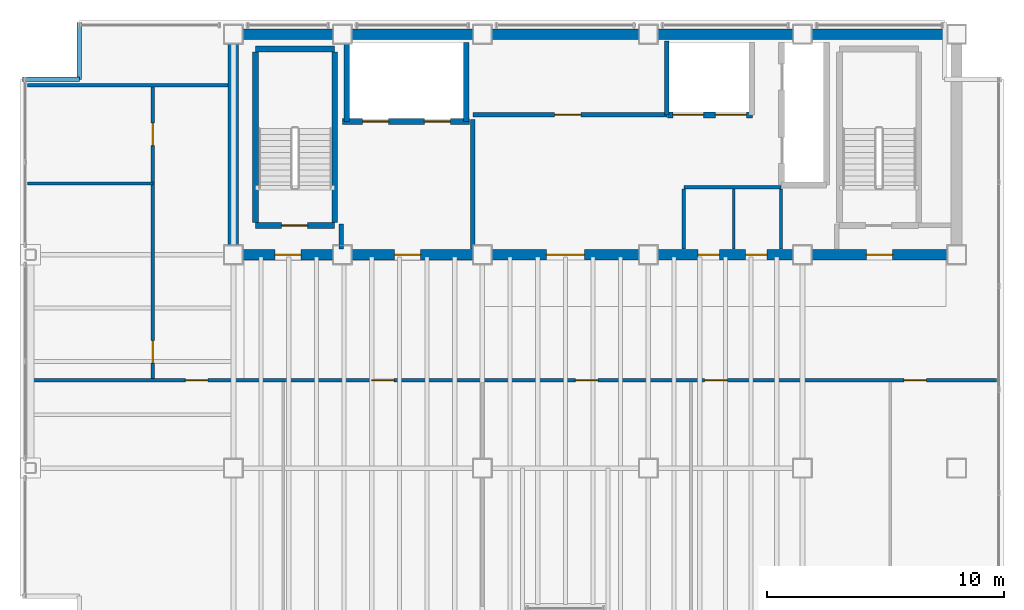
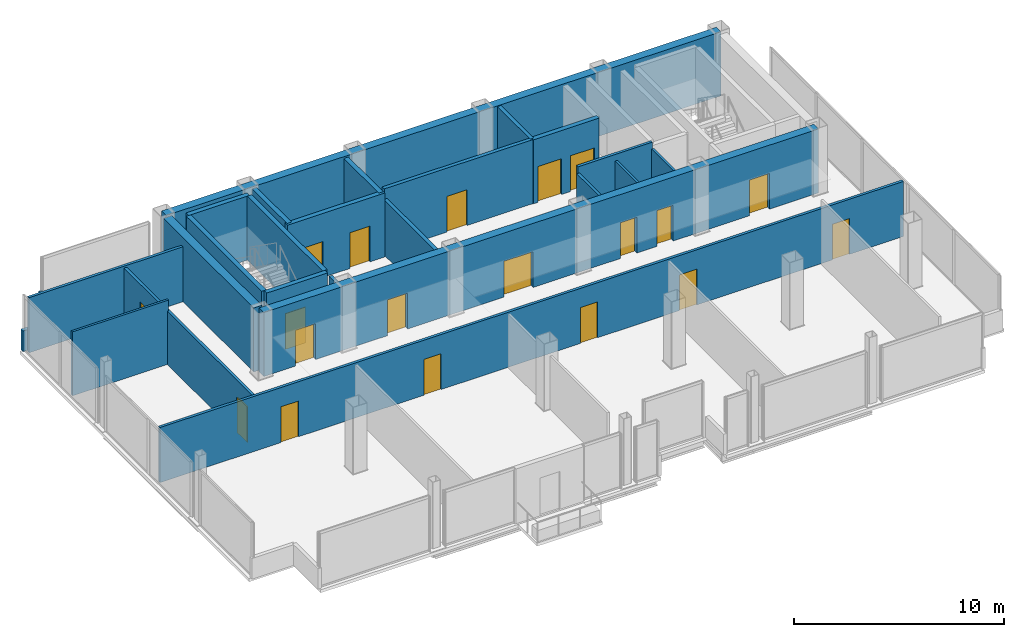
# One storey, part 14 of 16: 25 walls, 19 doors, 19 openings.
"""IFC4 building model written with IfcOpenShell, lengths in metres."""

from ifc_helpers import new_model, si_unit, direction, frame, frame_2d, origin, place, context, subcontext, project, spatial, rectangle, extrude, material, layer, layer_set, type_object, element, fill, save


model = new_model("IFC4")

# Units and contexts
model_context = context("Model", 3, precision=1e-05, world=origin(), true_north=direction((0.0, 1.0)))
body_context = subcontext(model_context, "Body", "Model", "MODEL_VIEW")
ifc_project = project(units=[si_unit("LENGTHUNIT", "METRE"), si_unit("AREAUNIT", "SQUARE_METRE"), si_unit("VOLUMEUNIT", "CUBIC_METRE"), si_unit("PLANEANGLEUNIT", "RADIAN"), si_unit("MASSUNIT", "GRAM", prefix="KILO")], contexts=[model_context])

# Site, building, storey
site_placement = place(None, origin())
site = spatial("IfcSite", under=ifc_project, at=site_placement, CompositionType="ELEMENT")
building_placement = place(site_placement, origin())
building = spatial("IfcBuilding", under=site, at=building_placement, Name="Noeulbin Bourse Tower", CompositionType="ELEMENT")
storey_placement = place(building_placement, frame((0.0, 0.0, 238.39990234375)))
storey = spatial("IfcBuildingStorey", under=building, at=storey_placement, Name="L59", CompositionType="ELEMENT", Elevation=238.39990234375)

# Wall, openings, doors
ifc_material_1 = material(Name="Concrete C50/60", Category="concrete")
ifc_layer_1 = layer(ifc_material_1, 0.449951171875)
ifc_layer_set_1 = layer_set([ifc_layer_1], Name="Concrete C50/60")
wall_type_1 = type_object("IfcWallType", Name="WAL-CORE-450", PredefinedType="SHEAR", material=ifc_layer_set_1)
wall_1_placement = place(storey_placement, frame((13.5, 29.0, 0.0), z_axis=(0.0, 0.0, 1.0), x_axis=(1.0, 0.0, 0.0)))
wall_1 = element("IfcWall", 1, at=wall_1_placement, inside=storey, type_object=wall_type_1, Name="Rear Core South Shear Wall L59", PredefinedType="SHEAR", context=body_context, shape_type="SweptSolid", body=[
    extrude(rectangle(XDim=30.5, YDim=0.449951171875, at=frame_2d((15.25, 0.0))), origin(), (0.0, 0.0, 1.0), 3.72021484375),
])
opening_1_placement = place(wall_1_placement, frame((1.75, 0.0, 0.0)))
opening_1 = element("IfcOpeningElement", 2, at=opening_1_placement, cuts=wall_1, Name="Opening FD-11", PredefinedType="OPENING", context=body_context, shape_type="SweptSolid", body=[
    extrude(rectangle(XDim=1.10009765625, YDim=2.080078125, at=frame_2d((0.550048828125, 1.0400390625))), frame((0.0, 0.23486328125, 0.0), z_axis=(0.0, -1.0, 0.0), x_axis=(1.0, 0.0, 0.0)), (0.0, 0.0, 1.0), 0.469970703125),
])
opening_2_placement = place(wall_1_placement, frame((26.699951171875, 0.0, 0.0)))
opening_2 = element("IfcOpeningElement", 3, at=opening_2_placement, cuts=wall_1, Name="Opening FD-11", PredefinedType="OPENING", context=body_context, shape_type="SweptSolid", body=[
    extrude(rectangle(XDim=1.10009765625, YDim=2.080078125, at=frame_2d((0.550048828125, 1.0400390625))), frame((0.0, 0.23486328125, 0.0), z_axis=(0.0, -1.0, 0.0), x_axis=(1.0, 0.0, 0.0)), (0.0, 0.0, 1.0), 0.469970703125),
])
opening_3_placement = place(wall_1_placement, frame((6.800048828125, 0.0, 0.0)))
opening_3 = element("IfcOpeningElement", 4, at=opening_3_placement, cuts=wall_1, Name="Opening FD-11", PredefinedType="OPENING", context=body_context, shape_type="SweptSolid", body=[
    extrude(rectangle(XDim=1.10009765625, YDim=2.080078125, at=frame_2d((0.550048828125, 1.0400390625))), frame((0.0, 0.23486328125, 0.0), z_axis=(0.0, -1.0, 0.0), x_axis=(1.0, 0.0, 0.0)), (0.0, 0.0, 1.0), 0.469970703125),
])
opening_4_placement = place(wall_1_placement, frame((13.199951171875, 0.0, 0.0)))
opening_4 = element("IfcOpeningElement", 5, at=opening_4_placement, cuts=wall_1, Name="Opening ID-16", PredefinedType="OPENING", context=body_context, shape_type="SweptSolid", body=[
    extrude(rectangle(XDim=1.60009765625, YDim=2.080078125, at=frame_2d((0.800048828125, 1.0400390625))), frame((0.0, 0.23486328125, 0.0), z_axis=(0.0, -1.0, 0.0), x_axis=(1.0, 0.0, 0.0)), (0.0, 0.0, 1.0), 0.469970703125),
])
opening_5_placement = place(wall_1_placement, frame((19.60009765625, 0.0, 0.0)))
opening_5 = element("IfcOpeningElement", 6, at=opening_5_placement, cuts=wall_1, Name="Opening FD-09", PredefinedType="OPENING", context=body_context, shape_type="SweptSolid", body=[
    extrude(rectangle(XDim=0.89990234375, YDim=2.080078125, at=frame_2d((0.449951171875, 1.0400390625))), frame((0.0, 0.23486328125, 0.0), z_axis=(0.0, -1.0, 0.0), x_axis=(1.0, 0.0, 0.0)), (0.0, 0.0, 1.0), 0.469970703125),
])
opening_6_placement = place(wall_1_placement, frame((21.60009765625, 0.0, 0.0)))
opening_6 = element("IfcOpeningElement", 7, at=opening_6_placement, cuts=wall_1, Name="Opening FD-09", PredefinedType="OPENING", context=body_context, shape_type="SweptSolid", body=[
    extrude(rectangle(XDim=0.89990234375, YDim=2.080078125, at=frame_2d((0.449951171875, 1.0400390625))), frame((0.0, 0.23486328125, 0.0), z_axis=(0.0, -1.0, 0.0), x_axis=(1.0, 0.0, 0.0)), (0.0, 0.0, 1.0), 0.469970703125),
])
ifc_material_2 = material(Name="Acoustic Glazed Aluminium", Category="aluminium")
door_type_1 = type_object("IfcDoorType", Name="DR-DBL-1600", OperationType="DOUBLE_DOOR_SINGLE_SWING", PredefinedType="DOOR", material=ifc_material_2)
door_1_placement = place(opening_4_placement, origin())
door_1 = element("IfcDoor", 8, at=door_1_placement, inside=storey, type_object=door_type_1, Name="Passenger Lift Lobby Portal L59", OperationType="DOUBLE_DOOR_SINGLE_SWING", OverallHeight=2.080078125, OverallWidth=1.60009765625, PredefinedType="DOOR", context=body_context, shape_type="SweptSolid", body=[
    extrude(rectangle(XDim=1.60009765625, YDim=2.080078125, at=frame_2d((0.800048828125, 1.0400390625))), frame((0.0, 0.02490234375, 0.0), z_axis=(0.0, -1.0, 0.0), x_axis=(1.0, 0.0, 0.0)), (0.0, 0.0, 1.0), 0.050048828125),
])
fill(opening_4, door_1)
ifc_material_3 = material(Name="Fire-Rated Timber Core", Category="wood")
door_type_2 = type_object("IfcDoorType", Name="DR-FD30-900", OperationType="SINGLE_SWING_RIGHT", PredefinedType="DOOR", material=ifc_material_3)
door_2_placement = place(opening_5_placement, origin())
door_2 = element("IfcDoor", 9, at=door_2_placement, inside=storey, type_object=door_type_2, Name="Interior Door L59-06", OperationType="SINGLE_SWING_RIGHT", OverallHeight=2.080078125, OverallWidth=0.89990234375, PredefinedType="DOOR", context=body_context, shape_type="SweptSolid", body=[
    extrude(rectangle(XDim=0.89990234375, YDim=2.080078125, at=frame_2d((0.449951171875, 1.0400390625))), frame((0.0, 0.02490234375, 0.0), z_axis=(0.0, -1.0, 0.0), x_axis=(1.0, 0.0, 0.0)), (0.0, 0.0, 1.0), 0.050048828125),
])
fill(opening_5, door_2)
door_3_placement = place(opening_6_placement, origin())
door_3 = element("IfcDoor", 10, at=door_3_placement, inside=storey, type_object=door_type_2, Name="Interior Door L59-07", OperationType="SINGLE_SWING_LEFT", OverallHeight=2.080078125, OverallWidth=0.89990234375, PredefinedType="DOOR", context=body_context, shape_type="SweptSolid", body=[
    extrude(rectangle(XDim=0.89990234375, YDim=2.080078125, at=frame_2d((0.449951171875, 1.0400390625))), frame((0.0, 0.02490234375, 0.0), z_axis=(0.0, -1.0, 0.0), x_axis=(1.0, 0.0, 0.0)), (0.0, 0.0, 1.0), 0.050048828125),
])
fill(opening_6, door_3)
ifc_material_4 = material(Name="Fire-Rated Insulated Steel", Category="steel")
door_type_3 = type_object("IfcDoorType", Name="DR-FD60-1100", OperationType="SINGLE_SWING_LEFT", PredefinedType="DOOR", material=ifc_material_4)
door_4_placement = place(opening_1_placement, origin())
door_4 = element("IfcDoor", 11, at=door_4_placement, inside=storey, type_object=door_type_3, Name="West Stair Lobby Door L59", OperationType="SINGLE_SWING_LEFT", OverallHeight=2.080078125, OverallWidth=1.10009765625, PredefinedType="DOOR", context=body_context, shape_type="SweptSolid", body=[
    extrude(rectangle(XDim=1.10009765625, YDim=2.080078125, at=frame_2d((0.550048828125, 1.0400390625))), frame((0.0, 0.02490234375, 0.0), z_axis=(0.0, -1.0, 0.0), x_axis=(1.0, 0.0, 0.0)), (0.0, 0.0, 1.0), 0.050048828125),
])
fill(opening_1, door_4)
door_5_placement = place(opening_2_placement, origin())
door_5 = element("IfcDoor", 12, at=door_5_placement, inside=storey, type_object=door_type_3, Name="East Stair Lobby Door L59", OperationType="SINGLE_SWING_RIGHT", OverallHeight=2.080078125, OverallWidth=1.10009765625, PredefinedType="DOOR", context=body_context, shape_type="SweptSolid", body=[
    extrude(rectangle(XDim=1.10009765625, YDim=2.080078125, at=frame_2d((0.550048828125, 1.0400390625))), frame((0.0, 0.02490234375, 0.0), z_axis=(0.0, -1.0, 0.0), x_axis=(1.0, 0.0, 0.0)), (0.0, 0.0, 1.0), 0.050048828125),
])
fill(opening_2, door_5)
door_6_placement = place(opening_3_placement, origin())
door_6 = element("IfcDoor", 13, at=door_6_placement, inside=storey, type_object=door_type_3, Name="Firefighting Lobby Door L59", OperationType="SINGLE_SWING_LEFT", OverallHeight=2.080078125, OverallWidth=1.10009765625, PredefinedType="DOOR", context=body_context, shape_type="SweptSolid", body=[
    extrude(rectangle(XDim=1.10009765625, YDim=2.080078125, at=frame_2d((0.550048828125, 1.0400390625))), frame((0.0, 0.02490234375, 0.0), z_axis=(0.0, -1.0, 0.0), x_axis=(1.0, 0.0, 0.0)), (0.0, 0.0, 1.0), 0.050048828125),
])
fill(opening_3, door_6)

# Walls
wall_2_placement = place(storey_placement, frame((13.5, 38.300048828125, 0.0), z_axis=(0.0, 0.0, 1.0), x_axis=(1.0, 0.0, 0.0)))
element("IfcWall", 14, at=wall_2_placement, inside=storey, type_object=wall_type_1, Name="Rear Core North Shear Wall L59", PredefinedType="SHEAR", context=body_context, shape_type="SweptSolid", body=[
    extrude(rectangle(XDim=30.5, YDim=0.449951171875, at=frame_2d((15.25, 0.0))), origin(), (0.0, 0.0, 1.0), 3.72021484375),
])
wall_3_placement = place(storey_placement, frame((13.5, 29.35009765625, 0.0), z_axis=(0.0, 0.0, 1.0), x_axis=(0.0, 1.0, 0.0)))
element("IfcWall", 15, at=wall_3_placement, inside=storey, type_object=wall_type_1, Name="Rear Core West Shear Wall L59", PredefinedType="SHEAR", context=body_context, shape_type="SweptSolid", body=[
    extrude(rectangle(XDim=8.599853515625, YDim=0.449951171875, at=frame_2d((4.2998046875, 0.0))), origin(), (0.0, 0.0, 1.0), 3.72021484375),
])

# Wall, opening, door
ifc_material_5 = material(Name="Concrete C40/50", Category="concrete")
ifc_layer_2 = layer(ifc_material_5, 0.199951171875)
ifc_layer_set_2 = layer_set([ifc_layer_2], Name="Concrete C40/50")
wall_type_2 = type_object("IfcWallType", Name="WAL-FIRE-200", PredefinedType="STANDARD", material=ifc_layer_set_2)
wall_4_placement = place(storey_placement, frame((23.60009765625, 34.89990234375, 0.0), z_axis=(0.0, 0.0, 1.0), x_axis=(1.0, 0.0, 0.0)))
wall_4 = element("IfcWall", 16, at=wall_4_placement, inside=storey, type_object=wall_type_2, Name="Interior Partition Wall L59-02", PredefinedType="STANDARD", context=body_context, shape_type="SweptSolid", body=[
    extrude(rectangle(XDim=8.179931640625, YDim=0.199951171875, at=frame_2d((4.08984375, 0.0))), origin(), (0.0, 0.0, 1.0), 3.72021484375),
])
opening_7_placement = place(wall_4_placement, frame((3.449951171875, 0.0, 0.0)))
opening_7 = element("IfcOpeningElement", 17, at=opening_7_placement, cuts=wall_4, Name="Opening FD-11", PredefinedType="OPENING", context=body_context, shape_type="SweptSolid", body=[
    extrude(rectangle(XDim=1.10009765625, YDim=2.080078125, at=frame_2d((0.550048828125, 1.0400390625))), frame((0.0, 0.10986328125, 0.0), z_axis=(0.0, -1.0, 0.0), x_axis=(1.0, 0.0, 0.0)), (0.0, 0.0, 1.0), 0.219970703125),
])
door_7_placement = place(opening_7_placement, origin())
door_7 = element("IfcDoor", 18, at=door_7_placement, inside=storey, type_object=door_type_3, Name="Telemetry Server Door L59", OperationType="SINGLE_SWING_LEFT", OverallHeight=2.080078125, OverallWidth=1.10009765625, PredefinedType="DOOR", context=body_context, shape_type="SweptSolid", body=[
    extrude(rectangle(XDim=1.10009765625, YDim=2.080078125, at=frame_2d((0.550048828125, 1.0400390625))), frame((0.0, 0.02490234375, 0.0), z_axis=(0.0, -1.0, 0.0), x_axis=(1.0, 0.0, 0.0)), (0.0, 0.0, 1.0), 0.050048828125),
])
fill(opening_7, door_7)

# Walls
wall_5_placement = place(storey_placement, frame((18.050048828125, 29.235107421875, 0.0), z_axis=(0.0, 0.0, 1.0), x_axis=(0.0, 1.0, 0.0)))
element("IfcWall", 19, at=wall_5_placement, inside=storey, type_object=wall_type_2, Name="Interior Partition Wall L59-07", PredefinedType="STANDARD", context=body_context, shape_type="SweptSolid", body=[
    extrude(rectangle(XDim=1.06494140625, YDim=0.199951171875, at=frame_2d((0.532470703125, 0.0))), origin(), (0.0, 0.0, 1.0), 3.35009765625),
])
wall_6_placement = place(storey_placement, frame((23.60009765625, 29.235107421875, 0.0), z_axis=(0.0, 0.0, 1.0), x_axis=(0.0, 1.0, 0.0)))
element("IfcWall", 20, at=wall_6_placement, inside=storey, type_object=wall_type_2, Name="Interior Partition Wall L59-09", PredefinedType="STANDARD", context=body_context, shape_type="SweptSolid", body=[
    extrude(rectangle(XDim=5.46484375, YDim=0.199951171875, at=frame_2d((2.732421875, 0.0))), origin(), (0.0, 0.0, 1.0), 3.2001953125),
])
ifc_layer_3 = layer(ifc_material_5, 0.199951171875)
ifc_layer_set_3 = layer_set([ifc_layer_3], Name="Concrete C40/50")
wall_type_3 = type_object("IfcWallType", Name="WAL-PAR-200", PredefinedType="PARAPET", material=ifc_layer_set_3)
wall_7_placement = place(storey_placement, frame((4.60009765625, 36.39990234375, 0.0), z_axis=(0.0, 0.0, 1.0), x_axis=(1.0, 0.0, 0.0)))
element("IfcWall", 21, at=wall_7_placement, inside=storey, type_object=wall_type_3, Name="Corner Notch Parapet L59-NW1", PredefinedType="PARAPET", context=body_context, shape_type="SweptSolid", body=[
    extrude(rectangle(XDim=2.39990234375, YDim=0.199951171875, at=frame_2d((1.199951171875, 0.0))), origin(), (0.0, 0.0, 1.0), 1.2001953125),
])
wall_8_placement = place(storey_placement, frame((7.0, 36.39990234375, 0.0), z_axis=(0.0, 0.0, 1.0), x_axis=(0.0, 1.0, 0.0)))
element("IfcWall", 22, at=wall_8_placement, inside=storey, type_object=wall_type_3, Name="Corner Notch Parapet L59-NW2", PredefinedType="PARAPET", context=body_context, shape_type="SweptSolid", body=[
    extrude(rectangle(XDim=2.400146484375, YDim=0.199951171875, at=frame_2d((1.2001953125, 0.0))), origin(), (0.0, 0.0, 1.0), 1.2001953125),
])
ifc_material_6 = material(Name="Steel Stud Gypsum Partition", Category="steel")
ifc_layer_4 = layer(ifc_material_6, 0.1201171875)
ifc_layer_set_4 = layer_set([ifc_layer_4], Name="Steel Stud Gypsum Partition")
wall_type_4 = type_object("IfcWallType", Name="WAL-PRT-120", PredefinedType="PARTITIONING", material=ifc_layer_set_4)
wall_9_placement = place(storey_placement, frame((4.81005859375, 32.0, 0.0), z_axis=(0.0, 0.0, 1.0), x_axis=(1.0, 0.0, 0.0)))
element("IfcWall", 23, at=wall_9_placement, inside=storey, type_object=wall_type_4, Name="Interior Partition Wall L59-06", PredefinedType="PARTITIONING", context=body_context, shape_type="SweptSolid", body=[
    extrude(rectangle(XDim=5.2900390625, YDim=0.1201171875, at=frame_2d((2.64501953125, 0.0))), origin(), (0.0, 0.0, 1.0), 3.72021484375),
])
for number, where, z_axis, x_axis, name in (
    (24, (36.60009765625, 29.235107421875, 0.0), (0.0, 0.0, 1.0), (0.0, 1.0, 0.0), "Interior Partition Wall L59-11"),
    (25, (34.60009765625, 29.235107421875, 0.0), (0.0, 0.0, 1.0), (0.0, 1.0, 0.0), "Interior Partition Wall L59-12"),
):
    element("IfcWall", number, at=place(storey_placement, frame(where, z_axis=z_axis, x_axis=x_axis)), inside=storey, type_object=wall_type_4, Name=name, PredefinedType="PARTITIONING", context=body_context, shape_type="SweptSolid", body=[
        extrude(rectangle(XDim=2.52978515625, YDim=0.1201171875, at=frame_2d((1.264892578125, 0.0))), origin(), (0.0, 0.0, 1.0), 3.35009765625),
    ])
ifc_material_7 = material(Name="Steel Stud Acoustic Gypsum Board", Category="steel")
ifc_layer_5 = layer(ifc_material_7, 0.14990234375)
ifc_layer_set_5 = layer_set([ifc_layer_5], Name="Steel Stud Acoustic Gypsum Board")
wall_type_5 = type_object("IfcWallType", Name="WAL-PRT-150", PredefinedType="PARTITIONING", material=ifc_layer_set_5)
wall_10_placement = place(storey_placement, frame((32.5, 31.85009765625, 0.0), z_axis=(0.0, 0.0, 1.0), x_axis=(1.0, 0.0, 0.0)))
element("IfcWall", 26, at=wall_10_placement, inside=storey, type_object=wall_type_5, Name="Interior Partition Wall L59-03", PredefinedType="PARTITIONING", context=body_context, shape_type="SweptSolid", body=[
    extrude(rectangle(XDim=4.10009765625, YDim=0.14990234375, at=frame_2d((2.050048828125, 0.0))), origin(), (0.0, 0.0, 1.0), 3.72021484375),
])

# Wall, openings, doors
wall_11_placement = place(storey_placement, frame((4.81005859375, 23.699951171875, 0.0), z_axis=(0.0, 0.0, 1.0), x_axis=(1.0, 0.0, 0.0)))
wall_11 = element("IfcWall", 27, at=wall_11_placement, inside=storey, type_object=wall_type_5, Name="Interior Partition Wall L59-04", PredefinedType="PARTITIONING", context=body_context, shape_type="SweptSolid", body=[
    extrude(rectangle(XDim=40.8798828125, YDim=0.14990234375, at=frame_2d((20.43994140625, 0.0))), origin(), (0.0, 0.0, 1.0), 3.2001953125),
])
opening_8_placement = place(wall_11_placement, frame((6.6650390625, 0.0, 0.0)))
opening_8 = element("IfcOpeningElement", 28, at=opening_8_placement, cuts=wall_11, Name="Opening ID-09", PredefinedType="OPENING", context=body_context, shape_type="SweptSolid", body=[
    extrude(rectangle(XDim=0.949951171875, YDim=2.080078125, at=frame_2d((0.47509765625, 1.0400390625))), frame((0.0, 0.0849609375, 0.0), z_axis=(0.0, -1.0, 0.0), x_axis=(1.0, 0.0, 0.0)), (0.0, 0.0, 1.0), 0.169921875),
])
opening_9_placement = place(wall_11_placement, frame((14.514892578125, 0.0, 0.0)))
opening_9 = element("IfcOpeningElement", 29, at=opening_9_placement, cuts=wall_11, Name="Opening ID-09", PredefinedType="OPENING", context=body_context, shape_type="SweptSolid", body=[
    extrude(rectangle(XDim=0.949951171875, YDim=2.080078125, at=frame_2d((0.47509765625, 1.0400390625))), frame((0.0, 0.0849609375, 0.0), z_axis=(0.0, -1.0, 0.0), x_axis=(1.0, 0.0, 0.0)), (0.0, 0.0, 1.0), 0.169921875),
])
opening_10_placement = place(wall_11_placement, frame((23.114990234375, 0.0, 0.0)))
opening_10 = element("IfcOpeningElement", 30, at=opening_10_placement, cuts=wall_11, Name="Opening ID-09", PredefinedType="OPENING", context=body_context, shape_type="SweptSolid", body=[
    extrude(rectangle(XDim=0.949951171875, YDim=2.080078125, at=frame_2d((0.47509765625, 1.0400390625))), frame((0.0, 0.0849609375, 0.0), z_axis=(0.0, -1.0, 0.0), x_axis=(1.0, 0.0, 0.0)), (0.0, 0.0, 1.0), 0.169921875),
])
opening_11_placement = place(wall_11_placement, frame((28.56494140625, 0.0, 0.0)))
opening_11 = element("IfcOpeningElement", 31, at=opening_11_placement, cuts=wall_11, Name="Opening ID-09", PredefinedType="OPENING", context=body_context, shape_type="SweptSolid", body=[
    extrude(rectangle(XDim=0.949951171875, YDim=2.080078125, at=frame_2d((0.47509765625, 1.0400390625))), frame((0.0, 0.0849609375, 0.0), z_axis=(0.0, -1.0, 0.0), x_axis=(1.0, 0.0, 0.0)), (0.0, 0.0, 1.0), 0.169921875),
])
opening_12_placement = place(wall_11_placement, frame((36.965087890625, 0.0, 0.0)))
opening_12 = element("IfcOpeningElement", 32, at=opening_12_placement, cuts=wall_11, Name="Opening ID-09", PredefinedType="OPENING", context=body_context, shape_type="SweptSolid", body=[
    extrude(rectangle(XDim=0.949951171875, YDim=2.080078125, at=frame_2d((0.47509765625, 1.0400390625))), frame((0.0, 0.0849609375, 0.0), z_axis=(0.0, -1.0, 0.0), x_axis=(1.0, 0.0, 0.0)), (0.0, 0.0, 1.0), 0.169921875),
])
ifc_material_8 = material(Name="Acoustic Solid-Core Timber", Category="wood")
door_type_4 = type_object("IfcDoorType", Name="DR-SINGLE-950", OperationType="SINGLE_SWING_LEFT", PredefinedType="DOOR", material=ifc_material_8)
door_8_placement = place(opening_8_placement, origin())
door_8 = element("IfcDoor", 33, at=door_8_placement, inside=storey, type_object=door_type_4, Name="Interior Door L59-08", OperationType="SINGLE_SWING_RIGHT", OverallHeight=2.080078125, OverallWidth=0.949951171875, PredefinedType="DOOR", context=body_context, shape_type="SweptSolid", body=[
    extrude(rectangle(XDim=0.949951171875, YDim=2.080078125, at=frame_2d((0.47509765625, 1.0400390625))), frame((0.0, 0.02490234375, 0.0), z_axis=(0.0, -1.0, 0.0), x_axis=(1.0, 0.0, 0.0)), (0.0, 0.0, 1.0), 0.050048828125),
])
fill(opening_8, door_8)
door_9_placement = place(opening_9_placement, origin())
door_9 = element("IfcDoor", 34, at=door_9_placement, inside=storey, type_object=door_type_4, Name="Interior Door L59-09", OperationType="SINGLE_SWING_LEFT", OverallHeight=2.080078125, OverallWidth=0.949951171875, PredefinedType="DOOR", context=body_context, shape_type="SweptSolid", body=[
    extrude(rectangle(XDim=0.949951171875, YDim=2.080078125, at=frame_2d((0.47509765625, 1.0400390625))), frame((0.0, 0.02490234375, 0.0), z_axis=(0.0, -1.0, 0.0), x_axis=(1.0, 0.0, 0.0)), (0.0, 0.0, 1.0), 0.050048828125),
])
fill(opening_9, door_9)
door_10_placement = place(opening_10_placement, origin())
door_10 = element("IfcDoor", 35, at=door_10_placement, inside=storey, type_object=door_type_4, Name="Interior Door L59-10", OperationType="SINGLE_SWING_RIGHT", OverallHeight=2.080078125, OverallWidth=0.949951171875, PredefinedType="DOOR", context=body_context, shape_type="SweptSolid", body=[
    extrude(rectangle(XDim=0.949951171875, YDim=2.080078125, at=frame_2d((0.47509765625, 1.0400390625))), frame((0.0, 0.02490234375, 0.0), z_axis=(0.0, -1.0, 0.0), x_axis=(1.0, 0.0, 0.0)), (0.0, 0.0, 1.0), 0.050048828125),
])
fill(opening_10, door_10)
door_11_placement = place(opening_11_placement, origin())
door_11 = element("IfcDoor", 36, at=door_11_placement, inside=storey, type_object=door_type_4, Name="Interior Door L59-11", OperationType="SINGLE_SWING_LEFT", OverallHeight=2.080078125, OverallWidth=0.949951171875, PredefinedType="DOOR", context=body_context, shape_type="SweptSolid", body=[
    extrude(rectangle(XDim=0.949951171875, YDim=2.080078125, at=frame_2d((0.47509765625, 1.0400390625))), frame((0.0, 0.02490234375, 0.0), z_axis=(0.0, -1.0, 0.0), x_axis=(1.0, 0.0, 0.0)), (0.0, 0.0, 1.0), 0.050048828125),
])
fill(opening_11, door_11)
door_12_placement = place(opening_12_placement, origin())
door_12 = element("IfcDoor", 37, at=door_12_placement, inside=storey, type_object=door_type_4, Name="Interior Door L59-12", OperationType="SINGLE_SWING_RIGHT", OverallHeight=2.080078125, OverallWidth=0.949951171875, PredefinedType="DOOR", context=body_context, shape_type="SweptSolid", body=[
    extrude(rectangle(XDim=0.949951171875, YDim=2.080078125, at=frame_2d((0.47509765625, 1.0400390625))), frame((0.0, 0.02490234375, 0.0), z_axis=(0.0, -1.0, 0.0), x_axis=(1.0, 0.0, 0.0)), (0.0, 0.0, 1.0), 0.050048828125),
])
fill(opening_12, door_12)

# Walls
wall_12_placement = place(storey_placement, frame((4.81005859375, 36.14990234375, 0.0), z_axis=(0.0, 0.0, 1.0), x_axis=(1.0, 0.0, 0.0)))
element("IfcWall", 38, at=wall_12_placement, inside=storey, type_object=wall_type_5, Name="Interior Partition Wall L59-05", PredefinedType="PARTITIONING", context=body_context, shape_type="SweptSolid", body=[
    extrude(rectangle(XDim=8.454833984375, YDim=0.14990234375, at=frame_2d((4.2275390625, 0.0))), origin(), (0.0, 0.0, 1.0), 3.2001953125),
])
wall_13_placement = place(storey_placement, frame((32.5, 29.235107421875, 0.0), z_axis=(0.0, 0.0, 1.0), x_axis=(0.0, 1.0, 0.0)))
element("IfcWall", 39, at=wall_13_placement, inside=storey, type_object=wall_type_5, Name="Interior Partition Wall L59-10", PredefinedType="PARTITIONING", context=body_context, shape_type="SweptSolid", body=[
    extrude(rectangle(XDim=2.52978515625, YDim=0.14990234375, at=frame_2d((1.264892578125, 0.0))), origin(), (0.0, 0.0, 1.0), 3.35009765625),
])

# Wall, openings, doors
wall_14_placement = place(storey_placement, frame((10.10009765625, 23.784912109375, 0.0), z_axis=(0.0, 0.0, 1.0), x_axis=(0.0, 1.0, 0.0)))
wall_14 = element("IfcWall", 40, at=wall_14_placement, inside=storey, type_object=wall_type_5, Name="Interior Partition Wall L59-13", PredefinedType="PARTITIONING", context=body_context, shape_type="SweptSolid", body=[
    extrude(rectangle(XDim=12.280029296875, YDim=0.14990234375, at=frame_2d((6.14013671875, 0.0))), origin(), (0.0, 0.0, 1.0), 3.10009765625),
])
opening_13_placement = place(wall_14_placement, frame((0.639892578125, 0.0, 0.0)))
opening_13 = element("IfcOpeningElement", 41, at=opening_13_placement, cuts=wall_14, Name="Opening ID-09", PredefinedType="OPENING", context=body_context, shape_type="SweptSolid", body=[
    extrude(rectangle(XDim=0.949951171875, YDim=2.080078125, at=frame_2d((0.47509765625, 1.0400390625))), frame((0.0, 0.0849609375, 0.0), z_axis=(0.0, -1.0, 0.0), x_axis=(1.0, 0.0, 0.0)), (0.0, 0.0, 1.0), 0.169921875),
])
opening_14_placement = place(wall_14_placement, frame((9.81494140625, 0.0, 0.0)))
opening_14 = element("IfcOpeningElement", 42, at=opening_14_placement, cuts=wall_14, Name="Opening ID-09", PredefinedType="OPENING", context=body_context, shape_type="SweptSolid", body=[
    extrude(rectangle(XDim=0.949951171875, YDim=2.080078125, at=frame_2d((0.47509765625, 1.0400390625))), frame((0.0, 0.0849609375, 0.0), z_axis=(0.0, -1.0, 0.0), x_axis=(1.0, 0.0, 0.0)), (0.0, 0.0, 1.0), 0.169921875),
])
door_13_placement = place(opening_13_placement, origin())
door_13 = element("IfcDoor", 43, at=door_13_placement, inside=storey, type_object=door_type_4, Name="Interior Door L59-13", OperationType="SINGLE_SWING_LEFT", OverallHeight=2.080078125, OverallWidth=0.949951171875, PredefinedType="DOOR", context=body_context, shape_type="SweptSolid", body=[
    extrude(rectangle(XDim=0.949951171875, YDim=2.080078125, at=frame_2d((0.47509765625, 1.0400390625))), frame((0.0, 0.02490234375, 0.0), z_axis=(0.0, -1.0, 0.0), x_axis=(1.0, 0.0, 0.0)), (0.0, 0.0, 1.0), 0.050048828125),
])
fill(opening_13, door_13)
door_14_placement = place(opening_14_placement, origin())
door_14 = element("IfcDoor", 44, at=door_14_placement, inside=storey, type_object=door_type_4, Name="Interior Door L59-14", OperationType="SINGLE_SWING_RIGHT", OverallHeight=2.080078125, OverallWidth=0.949951171875, PredefinedType="DOOR", context=body_context, shape_type="SweptSolid", body=[
    extrude(rectangle(XDim=0.949951171875, YDim=2.080078125, at=frame_2d((0.47509765625, 1.0400390625))), frame((0.0, 0.02490234375, 0.0), z_axis=(0.0, -1.0, 0.0), x_axis=(1.0, 0.0, 0.0)), (0.0, 0.0, 1.0), 0.050048828125),
])
fill(opening_14, door_14)

# Wall, opening, door
ifc_layer_6 = layer(ifc_material_5, 0.25)
ifc_layer_set_6 = layer_set([ifc_layer_6], Name="Concrete C40/50")
wall_type_6 = type_object("IfcWallType", Name="WAL-SHFT-250", PredefinedType="STANDARD", material=ifc_layer_set_6)
wall_15_placement = place(storey_placement, frame((14.429931640625, 30.235107421875, 0.0), z_axis=(0.0, 0.0, 1.0), x_axis=(1.0, 0.0, 0.0)))
wall_15 = element("IfcWall", 45, at=wall_15_placement, inside=storey, type_object=wall_type_6, Name="Stair ST-1 South Shaft Wall L59", PredefinedType="STANDARD", context=body_context, shape_type="SweptSolid", body=[
    extrude(rectangle(XDim=3.340087890625, YDim=0.25, at=frame_2d((1.669921875, 0.0))), origin(), (0.0, 0.0, 1.0), 3.72021484375),
])
opening_15_placement = place(wall_15_placement, frame((1.10009765625, 0.0, 0.0)))
opening_15 = element("IfcOpeningElement", 46, at=opening_15_placement, cuts=wall_15, Name="Opening FD-11", PredefinedType="OPENING", context=body_context, shape_type="SweptSolid", body=[
    extrude(rectangle(XDim=1.10009765625, YDim=2.080078125, at=frame_2d((0.550048828125, 1.0400390625))), frame((0.0, 0.135009765625, 0.0), z_axis=(0.0, -1.0, 0.0), x_axis=(1.0, 0.0, 0.0)), (0.0, 0.0, 1.0), 0.27001953125),
])
door_15_placement = place(opening_15_placement, origin())
door_15 = element("IfcDoor", 47, at=door_15_placement, inside=storey, type_object=door_type_3, Name="Protected Stair Entry Door ST1-L59", OperationType="SINGLE_SWING_LEFT", OverallHeight=2.080078125, OverallWidth=1.10009765625, PredefinedType="DOOR", context=body_context, shape_type="SweptSolid", body=[
    extrude(rectangle(XDim=1.10009765625, YDim=2.080078125, at=frame_2d((0.550048828125, 1.0400390625))), frame((0.0, 0.02490234375, 0.0), z_axis=(0.0, -1.0, 0.0), x_axis=(1.0, 0.0, 0.0)), (0.0, 0.0, 1.0), 0.050048828125),
])
fill(opening_15, door_15)

# Walls
wall_16_placement = place(storey_placement, frame((14.429931640625, 37.6689453125, 0.0), z_axis=(0.0, 0.0, 1.0), x_axis=(1.0, 0.0, 0.0)))
element("IfcWall", 48, at=wall_16_placement, inside=storey, type_object=wall_type_6, Name="Stair ST-1 North Shaft Wall L59", PredefinedType="STANDARD", context=body_context, shape_type="SweptSolid", body=[
    extrude(rectangle(XDim=3.340087890625, YDim=0.25, at=frame_2d((1.669921875, 0.0))), origin(), (0.0, 0.0, 1.0), 3.72021484375),
])
for number, where, z_axis, x_axis, name in (
    (49, (14.425048828125, 30.360107421875, 0.0), (0.0, 0.0, 1.0), (0.0, 1.0, 0.0), "Stair ST-1 West Shaft Wall L59"),
    (50, (17.77490234375, 30.360107421875, 0.0), (0.0, 0.0, 1.0), (0.0, 1.0, 0.0), "Stair ST-1 East Shaft Wall L59"),
):
    element("IfcWall", number, at=place(storey_placement, frame(where, z_axis=z_axis, x_axis=x_axis)), inside=storey, type_object=wall_type_6, Name=name, PredefinedType="STANDARD", context=body_context, shape_type="SweptSolid", body=[
        extrude(rectangle(XDim=7.183837890625, YDim=0.25, at=frame_2d((3.591796875, 0.0))), origin(), (0.0, 0.0, 1.0), 3.72021484375),
    ])

# Wall, openings, doors
wall_17_placement = place(storey_placement, frame((18.10009765625, 34.6201171875, 0.0), z_axis=(0.0, 0.0, 1.0), x_axis=(1.0, 0.0, 0.0)))
wall_17 = element("IfcWall", 51, at=wall_17_placement, inside=storey, type_object=wall_type_6, Name="Firefighting Lift Shaft Front L59", PredefinedType="STANDARD", context=body_context, shape_type="SweptSolid", body=[
    extrude(rectangle(XDim=5.349853515625, YDim=0.25, at=frame_2d((2.6748046875, 0.0))), origin(), (0.0, 0.0, 1.0), 3.72021484375),
])
opening_16_placement = place(wall_17_placement, frame((0.85009765625, 0.0, 0.0)))
opening_16 = element("IfcOpeningElement", 52, at=opening_16_placement, cuts=wall_17, Name="Opening LD-11", PredefinedType="OPENING", context=body_context, shape_type="SweptSolid", body=[
    extrude(rectangle(XDim=1.10009765625, YDim=2.080078125, at=frame_2d((0.550048828125, 1.0400390625))), frame((0.0, 0.135009765625, 0.0), z_axis=(0.0, -1.0, 0.0), x_axis=(1.0, 0.0, 0.0)), (0.0, 0.0, 1.0), 0.27001953125),
])
opening_17_placement = place(wall_17_placement, frame((3.449951171875, 0.0, 0.0)))
opening_17 = element("IfcOpeningElement", 53, at=opening_17_placement, cuts=wall_17, Name="Opening LD-11", PredefinedType="OPENING", context=body_context, shape_type="SweptSolid", body=[
    extrude(rectangle(XDim=1.10009765625, YDim=2.080078125, at=frame_2d((0.550048828125, 1.0400390625))), frame((0.0, 0.135009765625, 0.0), z_axis=(0.0, -1.0, 0.0), x_axis=(1.0, 0.0, 0.0)), (0.0, 0.0, 1.0), 0.27001953125),
])
ifc_material_9 = material(Name="Brushed Stainless Steel 316", Category="steel")
door_type_5 = type_object("IfcDoorType", Name="DR-LIFT-1100", OperationType="SLIDING_TO_LEFT", PredefinedType="DOOR", material=ifc_material_9)
door_16_placement = place(opening_16_placement, origin())
door_16 = element("IfcDoor", 54, at=door_16_placement, inside=storey, type_object=door_type_5, Name="Lift Landing Door LD-FL-01-L59", OperationType="SLIDING_TO_LEFT", OverallHeight=2.080078125, OverallWidth=1.10009765625, PredefinedType="DOOR", context=body_context, shape_type="SweptSolid", body=[
    extrude(rectangle(XDim=1.10009765625, YDim=2.080078125, at=frame_2d((0.550048828125, 1.0400390625))), frame((0.0, 0.02490234375, 0.0), z_axis=(0.0, -1.0, 0.0), x_axis=(1.0, 0.0, 0.0)), (0.0, 0.0, 1.0), 0.050048828125),
])
fill(opening_16, door_16)
door_17_placement = place(opening_17_placement, origin())
door_17 = element("IfcDoor", 55, at=door_17_placement, inside=storey, type_object=door_type_5, Name="Lift Landing Door LD-FL-02-L59", OperationType="SLIDING_TO_LEFT", OverallHeight=2.080078125, OverallWidth=1.10009765625, PredefinedType="DOOR", context=body_context, shape_type="SweptSolid", body=[
    extrude(rectangle(XDim=1.10009765625, YDim=2.080078125, at=frame_2d((0.550048828125, 1.0400390625))), frame((0.0, 0.02490234375, 0.0), z_axis=(0.0, -1.0, 0.0), x_axis=(1.0, 0.0, 0.0)), (0.0, 0.0, 1.0), 0.050048828125),
])
fill(opening_17, door_17)

# Walls
for number, where, z_axis, x_axis, name in (
    (56, (18.280029296875, 34.6201171875, 0.0), (0.0, 0.0, 1.0), (0.0, 1.0, 0.0), "Firefighting Lift West Shaft Wall L59"),
    (57, (23.320068359375, 34.6201171875, 0.0), (0.0, 0.0, 1.0), (0.0, 1.0, 0.0), "Firefighting Lift East Shaft Wall L59"),
):
    element("IfcWall", number, at=place(storey_placement, frame(where, z_axis=z_axis, x_axis=x_axis)), inside=storey, type_object=wall_type_6, Name=name, PredefinedType="STANDARD", context=body_context, shape_type="SweptSolid", body=[
        extrude(rectangle(XDim=3.329833984375, YDim=0.25, at=frame_2d((1.6650390625, 0.0))), origin(), (0.0, 0.0, 1.0), 3.72021484375),
    ])

# Wall, openings, doors
wall_18_placement = place(storey_placement, frame((31.800048828125, 34.89990234375, 0.0), z_axis=(0.0, 0.0, 1.0), x_axis=(1.0, 0.0, 0.0)))
wall_18 = element("IfcWall", 58, at=wall_18_placement, inside=storey, type_object=wall_type_6, Name="High-Rise Lift Bank Front L59", PredefinedType="STANDARD", context=body_context, shape_type="SweptSolid", body=[
    extrude(rectangle(XDim=3.599853515625, YDim=0.25, at=frame_2d((1.7998046875, 0.0))), origin(), (0.0, 0.0, 1.0), 3.72021484375),
])
opening_18_placement = place(wall_18_placement, frame((0.22998046875, 0.0, 0.0)))
opening_18 = element("IfcOpeningElement", 59, at=opening_18_placement, cuts=wall_18, Name="Opening LD-13", PredefinedType="OPENING", context=body_context, shape_type="SweptSolid", body=[
    extrude(rectangle(XDim=1.300048828125, YDim=2.080078125, at=frame_2d((0.64990234375, 1.0400390625))), frame((0.0, 0.135009765625, 0.0), z_axis=(0.0, -1.0, 0.0), x_axis=(1.0, 0.0, 0.0)), (0.0, 0.0, 1.0), 0.27001953125),
])
opening_19_placement = place(wall_18_placement, frame((2.030029296875, 0.0, 0.0)))
opening_19 = element("IfcOpeningElement", 60, at=opening_19_placement, cuts=wall_18, Name="Opening LD-13", PredefinedType="OPENING", context=body_context, shape_type="SweptSolid", body=[
    extrude(rectangle(XDim=1.300048828125, YDim=2.080078125, at=frame_2d((0.64990234375, 1.0400390625))), frame((0.0, 0.135009765625, 0.0), z_axis=(0.0, -1.0, 0.0), x_axis=(1.0, 0.0, 0.0)), (0.0, 0.0, 1.0), 0.27001953125),
])
door_type_6 = type_object("IfcDoorType", Name="DR-LIFT-1300", OperationType="DOUBLE_DOOR_SLIDING", PredefinedType="DOOR", material=ifc_material_9)
door_18_placement = place(opening_18_placement, origin())
door_18 = element("IfcDoor", 61, at=door_18_placement, inside=storey, type_object=door_type_6, Name="Lift Landing Door LD-PL-H1-L59", OperationType="DOUBLE_DOOR_SLIDING", OverallHeight=2.080078125, OverallWidth=1.300048828125, PredefinedType="DOOR", context=body_context, shape_type="SweptSolid", body=[
    extrude(rectangle(XDim=1.300048828125, YDim=2.080078125, at=frame_2d((0.64990234375, 1.0400390625))), frame((0.0, 0.02490234375, 0.0), z_axis=(0.0, -1.0, 0.0), x_axis=(1.0, 0.0, 0.0)), (0.0, 0.0, 1.0), 0.050048828125),
])
fill(opening_18, door_18)
door_19_placement = place(opening_19_placement, origin())
door_19 = element("IfcDoor", 62, at=door_19_placement, inside=storey, type_object=door_type_6, Name="Lift Landing Door LD-PL-H2-L59", OperationType="DOUBLE_DOOR_SLIDING", OverallHeight=2.080078125, OverallWidth=1.300048828125, PredefinedType="DOOR", context=body_context, shape_type="SweptSolid", body=[
    extrude(rectangle(XDim=1.300048828125, YDim=2.080078125, at=frame_2d((0.64990234375, 1.0400390625))), frame((0.0, 0.02490234375, 0.0), z_axis=(0.0, -1.0, 0.0), x_axis=(1.0, 0.0, 0.0)), (0.0, 0.0, 1.0), 0.050048828125),
])
fill(opening_19, door_19)

# Wall
wall_19_placement = place(storey_placement, frame((31.780029296875, 34.89990234375, 0.0), z_axis=(0.0, 0.0, 1.0), x_axis=(0.0, 1.0, 0.0)))
element("IfcWall", 63, at=wall_19_placement, inside=storey, type_object=wall_type_6, Name="Hoistway Side Shaft Wall L59-PLHW", PredefinedType="STANDARD", context=body_context, shape_type="SweptSolid", body=[
    extrude(rectangle(XDim=3.1201171875, YDim=0.199951171875, at=frame_2d((1.56005859375, 0.0))), origin(), (0.0, 0.0, 1.0), 3.72021484375),
])

save(model, "model.ifc")
